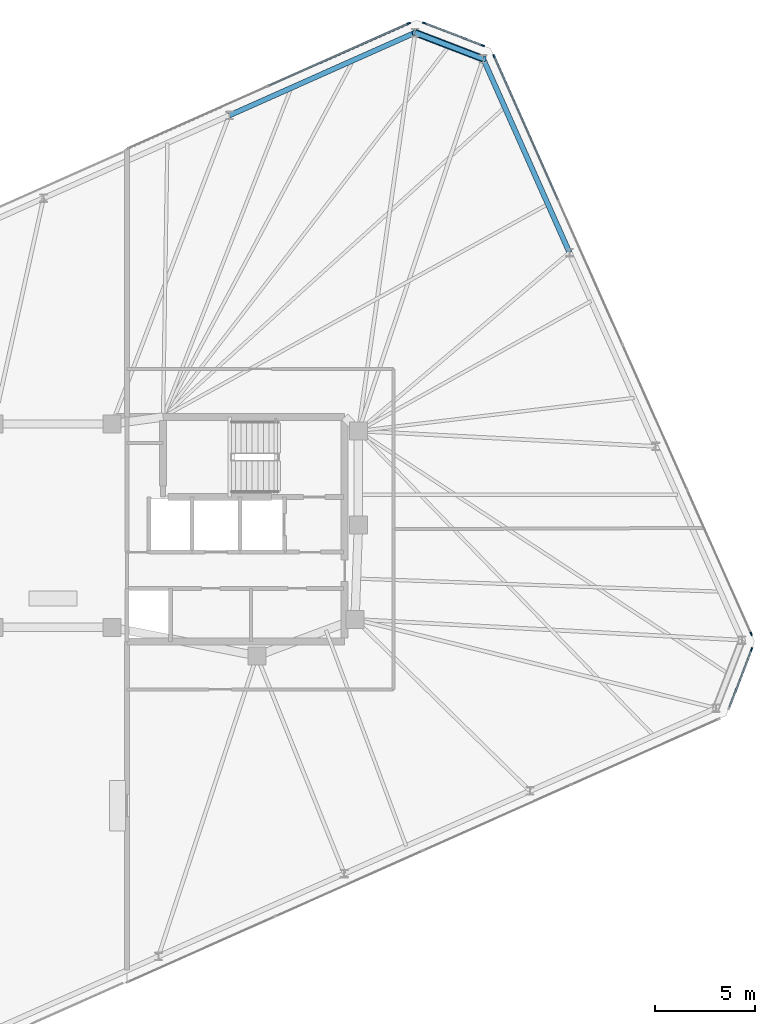
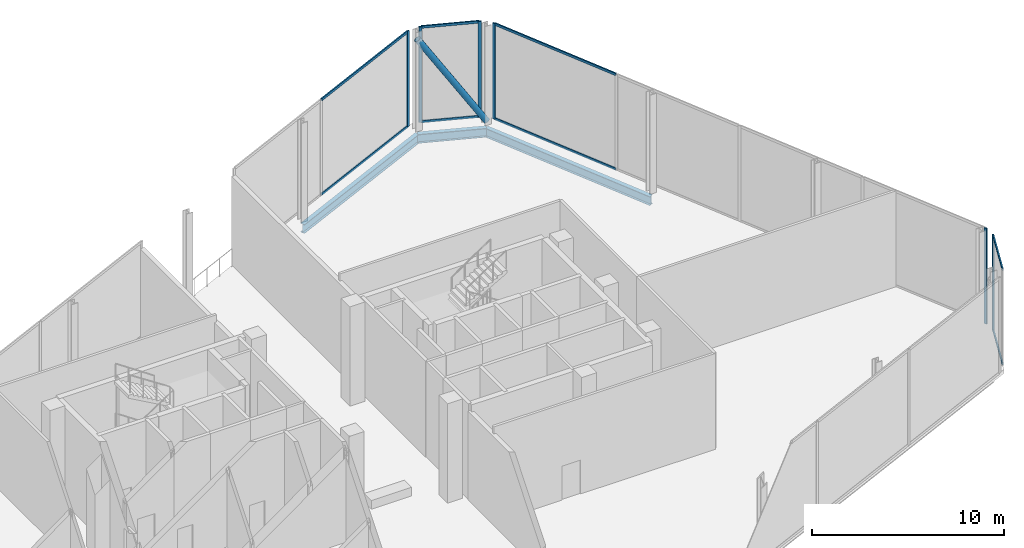
# One storey, part 12 of 16: 15 members, 3 beams, 4 elements without a shape of their own.
"""IFC4 building model written with IfcOpenShell, lengths in metres."""

from ifc_helpers import new_model, si_unit, direction, frame, origin, origin_2d, place, context, subcontext, project, spatial, rectangle, hollow_circle, i_section, extrude, material, material_profile, profile_set, type_object, element, aggregate, save


model = new_model("IFC4")

# Units and contexts
model_context = context("Model", 3, precision=1e-05, world=origin(), true_north=direction((0.0, 1.0)))
body_context = subcontext(model_context, "Body", "Model", "MODEL_VIEW")
ifc_project = project(units=[si_unit("LENGTHUNIT", "METRE"), si_unit("AREAUNIT", "SQUARE_METRE"), si_unit("VOLUMEUNIT", "CUBIC_METRE"), si_unit("PLANEANGLEUNIT", "RADIAN"), si_unit("MASSUNIT", "GRAM", prefix="KILO")], contexts=[model_context])

# Site, building, storey
site_placement = place(None, origin())
site = spatial("IfcSite", under=ifc_project, at=site_placement, CompositionType="ELEMENT")
building_placement = place(site_placement, origin())
building = spatial("IfcBuilding", under=site, at=building_placement, Name="Menara Jurai Vektor", CompositionType="ELEMENT")
storey_placement = place(building_placement, frame((0.0, 0.0, 275.60009765625)))
storey = spatial("IfcBuildingStorey", under=building, at=storey_placement, Name="L74", CompositionType="ELEMENT", Elevation=275.60009765625)

# Curtain wall, member
ifc_material_1 = material(Name="Anodised Pale Aluminium & Low-E Double Glazing", Category="aluminium")
curtain_wall_type = type_object("IfcCurtainWallType", Name="CW-BLK5", PredefinedType="NOTDEFINED", material=ifc_material_1)
curtain_wall_1_placement = place(storey_placement, origin())
curtain_wall_1 = element("IfcCurtainWall", 1, at=curtain_wall_1_placement, inside=storey, type_object=curtain_wall_type, Name="Unitised Curtain Wall L74 W2-03", PredefinedType="NOTDEFINED")
ifc_material_2 = material(Name="Anodised Pale Aluminium Mullion", Category="aluminium")
ifc_material_profile_1 = material_profile(ifc_material_2, rectangle(XDim=0.074951171875, YDim=0.175048828125, at=origin_2d()), Name="ALU MUL 75x175")
ifc_profile_set_1 = profile_set([ifc_material_profile_1], Name="Anodised Pale Aluminium Mullion")
member_type_1 = type_object("IfcMemberType", Name="CW-BLK5-MUL", PredefinedType="MULLION", material=ifc_profile_set_1)
member_1_placement = place(storey_placement, frame((34.87548828125, -5.997314453125, 0.0), z_axis=(0.0, 0.0, 1.0), x_axis=(-0.933578193639, 0.358373766287, 0.0)))
member_1 = element("IfcMember", 2, at=member_1_placement, type_object=member_type_1, Name="CW-05 mullion 2", PredefinedType="MULLION", context=body_context, shape_type="SweptSolid", body=[
    extrude(rectangle(XDim=0.074951171875, YDim=0.175048828125, at=origin_2d()), origin(), (0.0, 0.0, 1.0), 6.074951171875),
])

# Curtain wall, members
curtain_wall_2_placement = place(storey_placement, origin())
curtain_wall_2 = element("IfcCurtainWall", 3, at=curtain_wall_2_placement, inside=storey, type_object=curtain_wall_type, Name="Unitised Curtain Wall L74 W2-04", PredefinedType="NOTDEFINED")
member_2_placement = place(storey_placement, frame((34.85546875, -5.22607421875, 0.0), z_axis=(0.0, 0.0, 1.0), x_axis=(-0.913546127706, -0.406735138086, 0.0)))
member_2 = element("IfcMember", 4, at=member_2_placement, type_object=member_type_1, Name="CW-05 mullion 1", PredefinedType="MULLION", context=body_context, shape_type="SweptSolid", body=[
    extrude(rectangle(XDim=0.074951171875, YDim=0.175048828125, at=origin_2d()), origin(), (0.0, 0.0, 1.0), 6.074951171875),
])
member_3_placement = place(storey_placement, frame((22.016845703125, 23.610107421875, 0.0), z_axis=(0.0, 0.0, 1.0), x_axis=(-0.913546127706, -0.406735138086, 0.0)))
member_3 = element("IfcMember", 5, at=member_3_placement, type_object=member_type_1, Name="CW-05 mullion 5", PredefinedType="MULLION", context=body_context, shape_type="SweptSolid", body=[
    extrude(rectangle(XDim=0.074951171875, YDim=0.175048828125, at=origin_2d()), origin(), (0.0, 0.0, 1.0), 6.074951171875),
])

curtain_wall_3_placement = place(storey_placement, origin())
curtain_wall_3 = element("IfcCurtainWall", 6, at=curtain_wall_3_placement, inside=storey, type_object=curtain_wall_type, Name="Unitised Curtain Wall L74 W2-05", PredefinedType="NOTDEFINED")
member_4_placement = place(storey_placement, frame((21.45703125, 24.14111328125, 0.0), z_axis=(0.0, 0.0, 1.0), x_axis=(-0.358373766287, -0.933578193639, 0.0)))
member_4 = element("IfcMember", 7, at=member_4_placement, type_object=member_type_1, Name="CW-05 mullion 1", PredefinedType="MULLION", context=body_context, shape_type="SweptSolid", body=[
    extrude(rectangle(XDim=0.074951171875, YDim=0.175048828125, at=origin_2d()), origin(), (0.0, 0.0, 1.0), 6.074951171875),
])
member_5_placement = place(storey_placement, frame((18.539794921875, 25.2607421875, 0.0), z_axis=(0.0, 0.0, 1.0), x_axis=(-0.358373766287, -0.933578193639, 0.0)))
member_5 = element("IfcMember", 8, at=member_5_placement, type_object=member_type_1, Name="CW-05 mullion 2", PredefinedType="MULLION", context=body_context, shape_type="SweptSolid", body=[
    extrude(rectangle(XDim=0.074951171875, YDim=0.175048828125, at=origin_2d()), origin(), (0.0, 0.0, 1.0), 6.074951171875),
])

# Curtain wall, member
curtain_wall_4_placement = place(storey_placement, origin())
curtain_wall_4 = element("IfcCurtainWall", 9, at=curtain_wall_4_placement, inside=storey, type_object=curtain_wall_type, Name="Unitised Curtain Wall L74 W2-06", PredefinedType="NOTDEFINED")
member_6_placement = place(storey_placement, frame((17.768798828125, 25.24072265625, 0.0), z_axis=(0.0, 0.0, 1.0), x_axis=(0.406733391393, -0.913546905378, 0.0)))
member_6 = element("IfcMember", 10, at=member_6_placement, type_object=member_type_1, Name="CW-05 mullion 1", PredefinedType="MULLION", context=body_context, shape_type="SweptSolid", body=[
    extrude(rectangle(XDim=0.074951171875, YDim=0.175048828125, at=origin_2d()), origin(), (0.0, 0.0, 1.0), 6.074951171875),
])

# Member
ifc_material_3 = material(Name="Anodised Pale Aluminium Transom", Category="aluminium")
ifc_material_profile_2 = material_profile(ifc_material_3, rectangle(XDim=0.074951171875, YDim=0.155029296875, at=origin_2d()), Name="ALU TRN 75x155")
ifc_profile_set_2 = profile_set([ifc_material_profile_2], Name="Anodised Pale Aluminium Transom")
member_type_2 = type_object("IfcMemberType", Name="CW-BLK5-TRN", PredefinedType="USERDEFINED", material=ifc_profile_set_2)
member_7_placement = place(storey_placement, frame((33.769287109375, -8.87939453125, 0.037353515625), z_axis=(0.358324523823, 0.933597094911, 0.0), x_axis=(-0.933597094911, 0.358324523823, 0.0)))
member_7 = element("IfcMember", 11, at=member_7_placement, type_object=member_type_2, Name="CW-05 transom 1.1", ObjectType="TRANSOM", PredefinedType="USERDEFINED", context=body_context, shape_type="SweptSolid", body=[
    extrude(rectangle(XDim=0.074951171875, YDim=0.155029296875, at=origin_2d()), origin(), (0.0, 0.0, 1.0), 3.049560546875),
])

member_8_placement = place(storey_placement, frame((33.769287109375, -8.87939453125, 6.037353515625), z_axis=(0.358324523823, 0.933597094911, 0.0), x_axis=(-0.933597094911, 0.358324523823, 0.0)))
member_8 = element("IfcMember", 12, at=member_8_placement, type_object=member_type_2, Name="CW-05 transom 1.2", ObjectType="TRANSOM", PredefinedType="USERDEFINED", context=body_context, shape_type="SweptSolid", body=[
    extrude(rectangle(XDim=0.074951171875, YDim=0.155029296875, at=origin_2d()), origin(), (0.0, 0.0, 1.0), 3.049560546875),
])

aggregate(curtain_wall_1, [member_1, member_7, member_8])

member_9_placement = place(storey_placement, frame((25.20361328125, 16.452392578125, 0.037353515625), z_axis=(-0.406751345283, 0.913538911656, 0.0), x_axis=(-0.913538911656, -0.406751345283, 0.0)))
member_9 = element("IfcMember", 13, at=member_9_placement, type_object=member_type_2, Name="CW-05 transom 4.1", ObjectType="TRANSOM", PredefinedType="USERDEFINED", context=body_context, shape_type="SweptSolid", body=[
    extrude(rectangle(XDim=0.074951171875, YDim=0.155029296875, at=origin_2d()), origin(), (0.0, 0.0, 1.0), 7.79736328125),
])

member_10_placement = place(storey_placement, frame((25.20361328125, 16.452392578125, 6.037353515625), z_axis=(-0.406751345283, 0.913538911656, 0.0), x_axis=(-0.913538911656, -0.406751345283, 0.0)))
member_10 = element("IfcMember", 14, at=member_10_placement, type_object=member_type_2, Name="CW-05 transom 4.2", ObjectType="TRANSOM", PredefinedType="USERDEFINED", context=body_context, shape_type="SweptSolid", body=[
    extrude(rectangle(XDim=0.074951171875, YDim=0.155029296875, at=origin_2d()), origin(), (0.0, 0.0, 1.0), 7.79736328125),
])

aggregate(curtain_wall_2, [member_2, member_3, member_9, member_10])

member_11_placement = place(storey_placement, frame((21.422119140625, 24.154541015625, 0.037353515625), z_axis=(-0.933597094911, 0.358324523823, 0.0), x_axis=(-0.358324523823, -0.933597094911, 0.0)))
member_11 = element("IfcMember", 15, at=member_11_placement, type_object=member_type_2, Name="CW-05 transom 1.1", ObjectType="TRANSOM", PredefinedType="USERDEFINED", context=body_context, shape_type="SweptSolid", body=[
    extrude(rectangle(XDim=0.074951171875, YDim=0.155029296875, at=origin_2d()), origin(), (0.0, 0.0, 1.0), 3.049560546875),
])

member_12_placement = place(storey_placement, frame((21.422119140625, 24.154541015625, 6.037353515625), z_axis=(-0.933597094911, 0.358324523823, 0.0), x_axis=(-0.358324523823, -0.933597094911, 0.0)))
member_12 = element("IfcMember", 16, at=member_12_placement, type_object=member_type_2, Name="CW-05 transom 1.2", ObjectType="TRANSOM", PredefinedType="USERDEFINED", context=body_context, shape_type="SweptSolid", body=[
    extrude(rectangle(XDim=0.074951171875, YDim=0.155029296875, at=origin_2d()), origin(), (0.0, 0.0, 1.0), 3.049560546875),
])

aggregate(curtain_wall_3, [member_4, member_5, member_11, member_12])

member_13_placement = place(storey_placement, frame((17.734375, 25.225341796875, 0.037353515625), z_axis=(-0.913546636457, -0.406733995404, 0.0), x_axis=(0.406733995404, -0.913546636457, 0.0)))
member_13 = element("IfcMember", 17, at=member_13_placement, type_object=member_type_2, Name="CW-05 transom 1.1", ObjectType="TRANSOM", PredefinedType="USERDEFINED", context=body_context, shape_type="SweptSolid", body=[
    extrude(rectangle(XDim=0.074951171875, YDim=0.155029296875, at=origin_2d()), origin(), (0.0, 0.0, 1.0), 7.606201171875),
])

member_14_placement = place(storey_placement, frame((17.734375, 25.225341796875, 6.037353515625), z_axis=(-0.913546636457, -0.406733995404, 0.0), x_axis=(0.406733995404, -0.913546636457, 0.0)))
member_14 = element("IfcMember", 18, at=member_14_placement, type_object=member_type_2, Name="CW-05 transom 1.2", ObjectType="TRANSOM", PredefinedType="USERDEFINED", context=body_context, shape_type="SweptSolid", body=[
    extrude(rectangle(XDim=0.074951171875, YDim=0.155029296875, at=origin_2d()), origin(), (0.0, 0.0, 1.0), 7.606201171875),
])

aggregate(curtain_wall_4, [member_6, member_13, member_14])

ifc_material_4 = material(Name="Steel S460", Category="steel")
ifc_material_profile_3 = material_profile(ifc_material_4, hollow_circle(Radius=0.177734375, WallThickness=0.01611328125, at=origin_2d()), Name="CHS 355.6x16")
ifc_profile_set_3 = profile_set([ifc_material_profile_3], Name="Steel S460")
member_type_3 = type_object("IfcMemberType", Name="STR-BR-356", PredefinedType="BRACE", material=ifc_profile_set_3)
member_15_placement = place(storey_placement, frame((21.4755859375, 23.473388671875, 0.14990234375), z_axis=(-0.510157055966, 0.195847496683, 0.837486439467), x_axis=(-0.358394346877, -0.933570293083, 0.0)))
element("IfcMember", 19, at=member_15_placement, inside=storey, type_object=member_type_3, Name="Exoskeleton Corner Brace L74-2", PredefinedType="BRACE", context=body_context, shape_type="SweptSolid", body=[
    extrude(hollow_circle(Radius=0.177734375, WallThickness=0.01611328125, at=origin_2d()), origin(), (0.0, 0.0, 1.0), 6.65673828125),
])

# Beams
ifc_material_5 = material(Name="Steel S355", Category="steel")
ifc_material_profile_4 = material_profile(ifc_material_5, i_section(OverallWidth=0.260009765625, OverallDepth=0.570068359375, WebThickness=0.013916015625, FlangeThickness=0.02392578125, at=origin_2d()), Name="PG 570x260x145")
ifc_profile_set_4 = profile_set([ifc_material_profile_4], Name="Steel S355")
beam_type = type_object("IfcBeamType", Name="STR-SP-570", PredefinedType="SPANDREL", material=ifc_profile_set_4)
beam_1_placement = place(storey_placement, frame((25.781005859375, 13.80322265625, -0.53515625), z_axis=(-0.40673543049, 0.91354599752, 0.0), x_axis=(-0.91354599752, -0.40673543049, 0.0)))
element("IfcBeam", 20, at=beam_1_placement, inside=storey, type_object=beam_type, Name="Exoskeleton Spandrel Beam L74-09", PredefinedType="SPANDREL", context=body_context, shape_type="SweptSolid", body=[
    extrude(i_section(OverallWidth=0.260009765625, OverallDepth=0.570068359375, WebThickness=0.013916015625, FlangeThickness=0.02392578125, at=origin_2d()), origin(), (0.0, 0.0, 1.0), 10.585205078125),
])
beam_2_placement = place(storey_placement, frame((21.4755859375, 23.473388671875, -0.53515625), z_axis=(-0.933570293083, 0.358394346877, 0.0), x_axis=(-0.358394346877, -0.933570293083, 0.0)))
element("IfcBeam", 21, at=beam_2_placement, inside=storey, type_object=beam_type, Name="Exoskeleton Spandrel Beam L74-10", PredefinedType="SPANDREL", context=body_context, shape_type="SweptSolid", body=[
    extrude(i_section(OverallWidth=0.260009765625, OverallDepth=0.570068359375, WebThickness=0.013916015625, FlangeThickness=0.02392578125, at=origin_2d()), origin(), (0.0, 0.0, 1.0), 3.6376953125),
])
beam_3_placement = place(storey_placement, frame((18.07958984375, 24.777099609375, -0.53515625), z_axis=(-0.913545561407, -0.406736410017, 0.0), x_axis=(0.406736410017, -0.913545561407, 0.0)))
element("IfcBeam", 22, at=beam_3_placement, inside=storey, type_object=beam_type, Name="Exoskeleton Spandrel Beam L74-11", PredefinedType="SPANDREL", context=body_context, shape_type="SweptSolid", body=[
    extrude(i_section(OverallWidth=0.260009765625, OverallDepth=0.570068359375, WebThickness=0.013916015625, FlangeThickness=0.02392578125, at=origin_2d()), origin(), (0.0, 0.0, 1.0), 10.1513671875),
])

save(model, "model.ifc")
